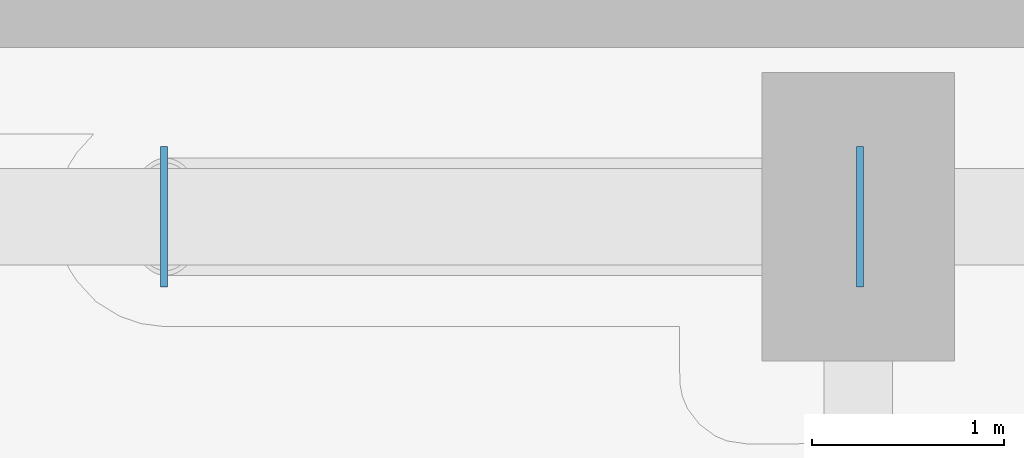
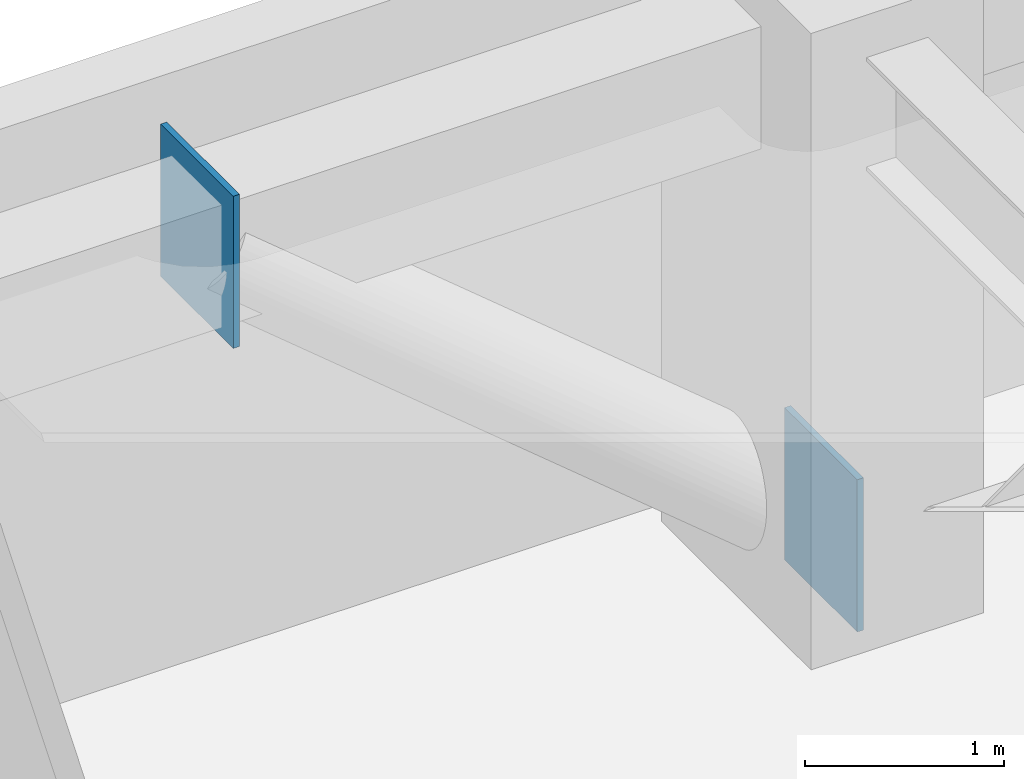
# One storey, part 17 of 26: 2 plates.
"""IFC4 building model written with IfcOpenShell, lengths in metres."""

from ifc_helpers import new_model, si_unit, direction, frame, origin, origin_2d, place, context, subcontext, project, spatial, rectangle, extrude, material, layer, layer_set, type_object, element, save


model = new_model("IFC4")

# Units and contexts
model_context = context("Model", 3, precision=1e-05, world=origin(), true_north=direction((0.0, 1.0)))
body_context = subcontext(model_context, "Body", "Model", "MODEL_VIEW")
ifc_project = project(units=[si_unit("LENGTHUNIT", "METRE"), si_unit("AREAUNIT", "SQUARE_METRE"), si_unit("VOLUMEUNIT", "CUBIC_METRE"), si_unit("PLANEANGLEUNIT", "RADIAN"), si_unit("MASSUNIT", "GRAM", prefix="KILO")], contexts=[model_context])

# Site, building, storey
site_placement = place(None, origin())
site = spatial("IfcSite", under=ifc_project, at=site_placement, CompositionType="ELEMENT")
building_placement = place(site_placement, origin())
building = spatial("IfcBuilding", under=site, at=building_placement, Name="Kiyonajd Concourse Tower", CompositionType="ELEMENT")
storey_placement = place(building_placement, frame((0.0, 0.0, 72.89990234375)))
storey = spatial("IfcBuildingStorey", under=building, at=storey_placement, Name="L19", CompositionType="ELEMENT", Elevation=72.89990234375)

# Plates
ifc_material = material(Name="Steel ASTM A572 Grade 50", Category="steel")
ifc_layer = layer(ifc_material, 0.028076171875)
ifc_layer_set = layer_set([ifc_layer], Name="Steel ASTM A572 Grade 50")
plate_type = type_object("IfcPlateType", Name="PL-CAP-450", PredefinedType="USERDEFINED", material=ifc_layer_set)
for number, where, z_axis, x_axis, name in (
    (1, (63.6083984375, 61.199951171875, -0.17333984375), (0.0, 0.0, 1.0), (1.0, 0.0, 0.0), "L19 Hollow Brace End Cap Plate PBN"),
    (2, (59.991455078125, 61.199951171875, 2.83056640625), (0.0, 0.0, 1.0), (-1.0, 0.0, 0.0), "L19 Hollow Brace Top Cap Plate PBN"),
):
    element("IfcPlate", number, at=place(storey_placement, frame(where, z_axis=z_axis, x_axis=x_axis)), inside=storey, type_object=plate_type, Name=name, ObjectType="CAP PLATE", PredefinedType="USERDEFINED", context=body_context, shape_type="SweptSolid", body=[
        extrude(rectangle(XDim=0.035888671875, YDim=0.72998046875, at=origin_2d()), origin(), (0.0, 0.0, 1.0), 0.93310546875),
    ])

save(model, "model.ifc")
